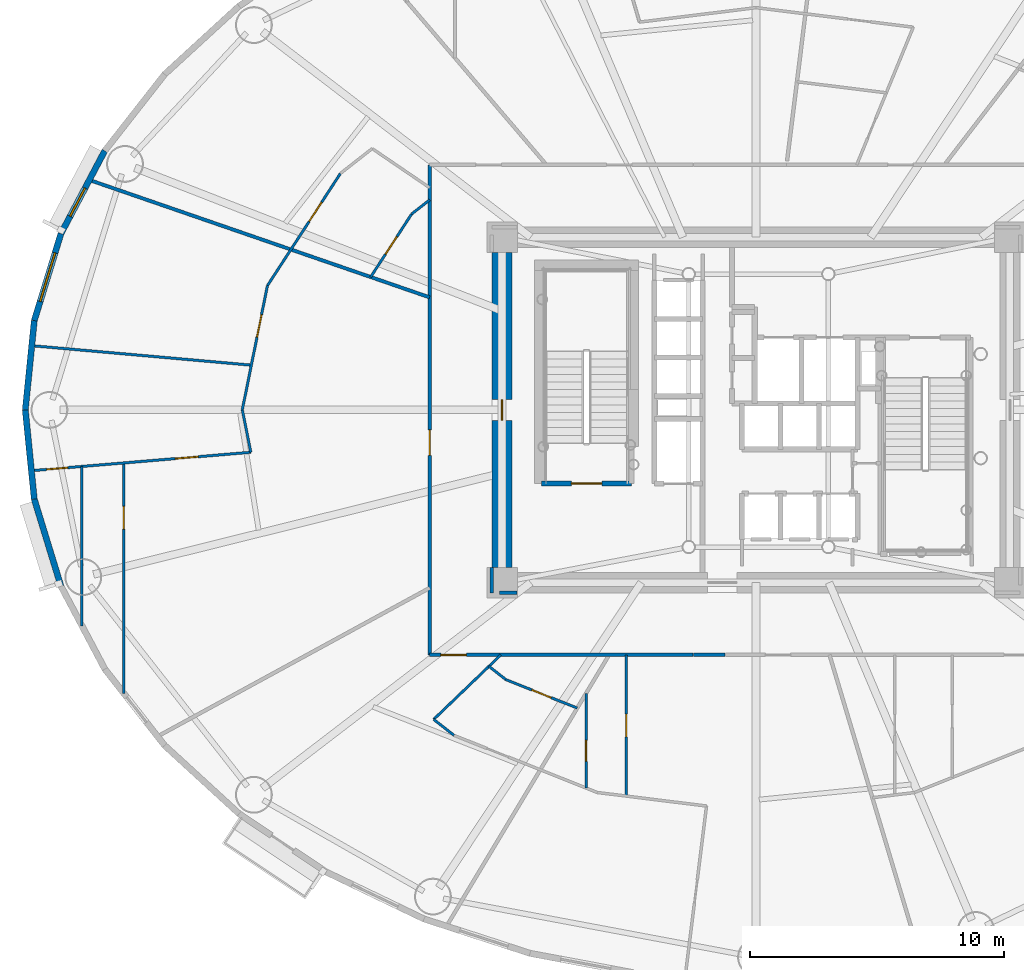
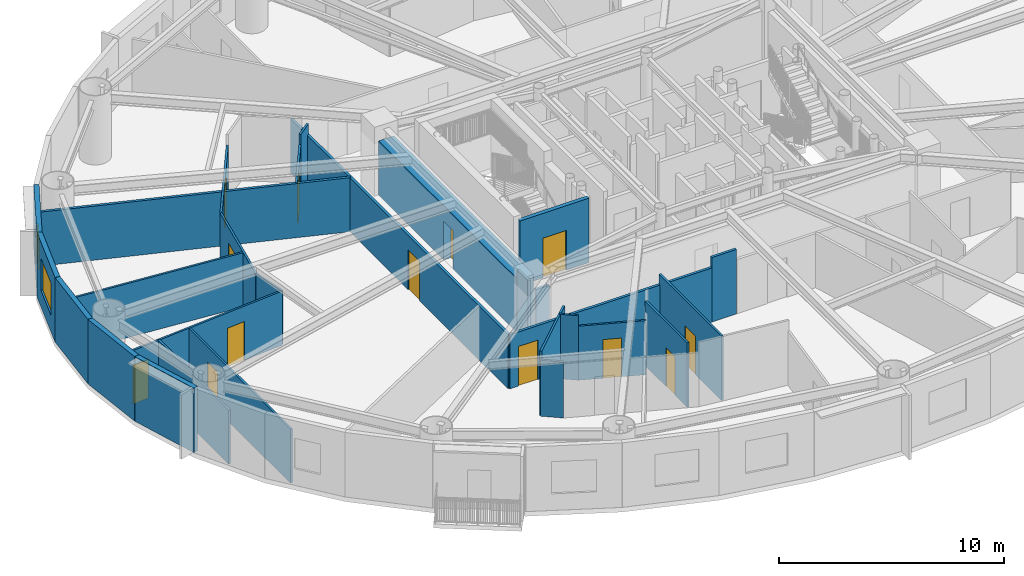
# One storey, part 7 of 18: 28 walls, 13 doors, 2 windows, 15 openings.
"""IFC4 building model written with IfcOpenShell, lengths in metres."""

import ifcopenshell
import ifcopenshell.guid

model = None  # the IFC model being written
_history = None  # IfcOwnerHistory: only IFC2X3 demands one
_inside = {}  # id of a spatial element -> (the spatial element, [elements in it])
_under = {}  # id of a project, library or spatial element -> (it, [spatial elements below it])
_declared = {}  # id of a project -> (the project, [libraries it declares])
_typed = {}  # id of a type object -> (the type object, [elements of that type])
_made_of = {}  # id of a material, layer set ... -> (it, [elements and type objects made of it])


def new_model(schema):
    """Start an empty IFC model of exactly this schema.

    Asked for "IFC4X3", IfcOpenShell would pick the latest addendum, in which some entities
    have other attributes; the version numbers below select the first issue.
    IFC2X3 requires an IfcOwnerHistory on every rooted entity: one is made here for all.
    """
    global model, _history
    if schema == "IFC4X3":
        model = ifcopenshell.file(schema_version=(4, 3, 0, 0))
    else:
        model = ifcopenshell.file(schema=schema)
    _inside.clear()
    _under.clear()
    _declared.clear()
    _typed.clear()
    _made_of.clear()
    _history = None
    if model.schema == "IFC2X3":
        org = make("IfcOrganization", Name="unknown")
        user = make(
            "IfcPersonAndOrganization",
            ThePerson=make("IfcPerson", FamilyName="unknown"),
            TheOrganization=org,
        )
        app = make(
            "IfcApplication",
            ApplicationDeveloper=org,
            Version="unknown",
            ApplicationFullName="unknown",
            ApplicationIdentifier="unknown",
        )
        _history = make(
            "IfcOwnerHistory",
            OwningUser=user,
            OwningApplication=app,
            ChangeAction="ADDED",
            CreationDate=0,
        )
    return model


def make(cls, **values):
    """One entity of the class cls with the attributes given. An attribute that is None is left unset."""
    return model.create_entity(
        cls, **{name: value for name, value in values.items() if value is not None}
    )


def rooted(cls, **values):
    """An entity with a GlobalId (a new one), such as an element, a storey or a relation."""
    return make(cls, GlobalId=ifcopenshell.guid.new(), OwnerHistory=_history, **values)


def si_unit(unit_type, name, prefix=None):
    """IfcSIUnit, for example si_unit("LENGTHUNIT", "METRE", prefix="MILLI")."""
    return make("IfcSIUnit", UnitType=unit_type, Prefix=prefix, Name=name)


def assignment(units):
    """IfcUnitAssignment: the units of a project."""
    return None if units is None else make("IfcUnitAssignment", Units=units)


def point(xyz):
    """IfcCartesianPoint."""
    return None if xyz is None else make("IfcCartesianPoint", Coordinates=xyz)


def direction(xyz):
    """IfcDirection."""
    return None if xyz is None else make("IfcDirection", DirectionRatios=xyz)


def frame(location, z_axis=None, x_axis=None):
    """IfcAxis2Placement3D, a coordinate frame: its origin and axes. An axis left out is left unset."""
    return make(
        "IfcAxis2Placement3D",
        Location=point(location),
        Axis=direction(z_axis),
        RefDirection=direction(x_axis),
    )


def frame_2d(location, x_axis=None):
    """IfcAxis2Placement2D, a coordinate frame in the plane: its origin and x axis."""
    return make(
        "IfcAxis2Placement2D", Location=point(location), RefDirection=direction(x_axis)
    )


def origin():
    """The frame at (0, 0, 0) with its axes left unset."""
    return frame((0.0, 0.0, 0.0))


def origin_2d():
    """The frame at (0, 0) in the plane with its x axis left unset."""
    return frame_2d((0.0, 0.0))


def place(relative_to, where):
    """IfcLocalPlacement: puts the frame where relative to a parent placement (None: the world)."""
    return make(
        "IfcLocalPlacement", PlacementRelTo=relative_to, RelativePlacement=where
    )


def context(
    kind, dimensions, precision=None, world=None, true_north=None, identifier=None
):
    """IfcGeometricRepresentationContext, for example the 3D "Model" context."""
    return make(
        "IfcGeometricRepresentationContext",
        ContextIdentifier=identifier,
        ContextType=kind,
        CoordinateSpaceDimension=dimensions,
        Precision=precision,
        WorldCoordinateSystem=world,
        TrueNorth=true_north,
    )


def subcontext(parent, identifier, kind, view, scale=None):
    """IfcGeometricRepresentationSubContext, for example "Body" below "Model"."""
    return make(
        "IfcGeometricRepresentationSubContext",
        ContextIdentifier=identifier,
        ContextType=kind,
        ParentContext=parent,
        TargetScale=scale,
        TargetView=view,
    )


def project(units=None, contexts=None):
    """IfcProject with its units and contexts."""
    return rooted(
        "IfcProject",
        Name="project",
        RepresentationContexts=contexts,
        UnitsInContext=assignment(units),
    )


def spatial(cls, under=None, at=None, **own):
    """A site, building, storey or space (cls), placed at a placement, below another one or the project."""
    s = rooted(cls, ObjectPlacement=at, **own)
    if under is not None:
        _under.setdefault(under.id(), (under, []))[1].append(s)
    return s


def profile(cls, at=None, kind="AREA", **sizes):
    """A parametric profile (cls). Its sizes go by their IFC names, for example OverallWidth=200.0."""
    return make(cls, ProfileType=kind, Position=at, **sizes)


def rectangle(**sizes):
    """IfcRectangleProfileDef."""
    return profile("IfcRectangleProfileDef", **sizes)


def extrude(swept, where, along, depth):
    """IfcExtrudedAreaSolid: the profile swept, set in the frame where, extruded along a direction by depth."""
    return make(
        "IfcExtrudedAreaSolid",
        SweptArea=swept,
        Position=where,
        ExtrudedDirection=direction(along),
        Depth=depth,
    )


def shape(context_of_items, identifier, shape_type, items):
    """IfcShapeRepresentation: the items that make up one representation, for example the "Body"."""
    return make(
        "IfcShapeRepresentation",
        ContextOfItems=context_of_items,
        RepresentationIdentifier=identifier,
        RepresentationType=shape_type,
        Items=items,
    )


def source(mapping_origin, context_of_items, identifier, shape_type, items):
    """IfcRepresentationMap: a shape defined once, which mapped items show again and again."""
    return make(
        "IfcRepresentationMap",
        MappingOrigin=mapping_origin,
        MappedRepresentation=shape(context_of_items, identifier, shape_type, items),
    )


def transform(
    local_origin,
    x_axis=None,
    y_axis=None,
    z_axis=None,
    scale=None,
    scale2=None,
    scale3=None,
    uniform=True,
):
    """IfcCartesianTransformationOperator3D, or its non-uniform kind. x_axis, y_axis, z_axis: its Axis1, 2, 3."""
    if uniform:
        return make(
            "IfcCartesianTransformationOperator3D",
            Axis1=direction(x_axis),
            Axis2=direction(y_axis),
            LocalOrigin=point(local_origin),
            Scale=scale,
            Axis3=direction(z_axis),
        )
    return make(
        "IfcCartesianTransformationOperator3DnonUniform",
        Axis1=direction(x_axis),
        Axis2=direction(y_axis),
        LocalOrigin=point(local_origin),
        Scale=scale,
        Axis3=direction(z_axis),
        Scale2=scale2,
        Scale3=scale3,
    )


def mapped(mapping_source, mapping_target):
    """IfcMappedItem: shows the shape of a source again, moved by a transform."""
    return make(
        "IfcMappedItem", MappingSource=mapping_source, MappingTarget=mapping_target
    )


def material(Name=None, Category=None):
    """IfcMaterial."""
    return make("IfcMaterial", Name=Name, Category=Category)


def layer(
    of_material, thickness, ventilated=None, Name=None, Category=None, Priority=None
):
    """IfcMaterialLayer: one layer of a wall or slab, of a material (None: an air gap)."""
    return make(
        "IfcMaterialLayer",
        Material=of_material,
        LayerThickness=thickness,
        IsVentilated=ventilated,
        Name=Name,
        Category=Category,
        Priority=Priority,
    )


def layer_set(layers, Name=None):
    """IfcMaterialLayerSet."""
    return make("IfcMaterialLayerSet", MaterialLayers=layers, LayerSetName=Name)


def made_of(thing, what):
    """Note that an element or type object is made of a material, layer set ...; save() writes the relation."""
    if what is not None:
        _made_of.setdefault(what.id(), (what, []))[1].append(thing)
    return thing


def type_object(cls, material=None, **own):
    """A type object (cls), such as IfcWallType, which elements share."""
    return made_of(rooted(cls, **own), material)


def element(
    cls,
    number,
    at=None,
    inside=None,
    cuts=None,
    type_object=None,
    material=None,
    context=None,
    identifier="Body",
    shape_type=None,
    held_by="IfcProductDefinitionShape",
    body=None,
    shapes=None,
    **own,
):
    """One element of the class cls, such as IfcWall. Its Tag is "e" and its number.

    at: its placement. inside: the storey or other place that contains it. cuts: it is an
    opening in that element (IfcRelVoidsElement). A single representation is given by context,
    identifier, shape_type and body (its items); several are given by shapes. held_by: the class
    of the entity that holds the representations. save() writes the other relations.
    """
    e = rooted(cls, Tag="e%d" % number, ObjectPlacement=at, **own)
    if body is not None:
        shapes = [shape(context, identifier, shape_type, body)]
    if shapes is not None:
        e.Representation = make(held_by, Representations=shapes)
    if inside is not None:
        _inside.setdefault(inside.id(), (inside, []))[1].append(e)
    if cuts is not None:
        rooted(
            "IfcRelVoidsElement", RelatingBuildingElement=cuts, RelatedOpeningElement=e
        )
    if type_object is not None:
        _typed.setdefault(type_object.id(), (type_object, []))[1].append(e)
    return made_of(e, material)


def fill(opening, filler):
    """IfcRelFillsElement: the door or window that sits in an opening."""
    return rooted(
        "IfcRelFillsElement",
        RelatingOpeningElement=opening,
        RelatedBuildingElement=filler,
    )


def aggregate(whole, parts):
    """IfcRelAggregates: a whole, such as a stair, and the parts it consists of."""
    return rooted("IfcRelAggregates", RelatingObject=whole, RelatedObjects=parts)


def save(model, path):
    """Write the relations noted so far, then the file.

    IfcRelAggregates (storeys below a building ...), IfcRelContainedInSpatialStructure (elements
    in a storey), IfcRelDefinesByType, IfcRelAssociatesMaterial and IfcRelDeclares: one each for
    every whole, place, type object, material and project.
    """
    for whole, parts in _under.values():
        aggregate(whole, parts)
    for where, things in _inside.values():
        rooted(
            "IfcRelContainedInSpatialStructure",
            RelatedElements=things,
            RelatingStructure=where,
        )
    for kind, things in _typed.values():
        rooted("IfcRelDefinesByType", RelatedObjects=things, RelatingType=kind)
    for what, things in _made_of.values():
        rooted("IfcRelAssociatesMaterial", RelatedObjects=things, RelatingMaterial=what)
    for by, libraries in _declared.values():
        rooted("IfcRelDeclares", RelatingContext=by, RelatedDefinitions=libraries)
    model.write(path)


model = new_model("IFC4")

# Units and contexts
model_context = context("Model", 3, precision=1e-05, world=origin(), true_north=direction((0.0, 1.0)))
body_context = subcontext(model_context, "Body", "Model", "MODEL_VIEW")
ifc_project = project(units=[si_unit("LENGTHUNIT", "METRE"), si_unit("AREAUNIT", "SQUARE_METRE"), si_unit("VOLUMEUNIT", "CUBIC_METRE"), si_unit("PLANEANGLEUNIT", "RADIAN"), si_unit("MASSUNIT", "GRAM", prefix="KILO")], contexts=[model_context])

# Site, building, storey
site_placement = place(None, origin())
site = spatial("IfcSite", under=ifc_project, at=site_placement, CompositionType="ELEMENT")
building_placement = place(site_placement, origin())
building = spatial("IfcBuilding", under=site, at=building_placement, Name="Linh Dai School and Residence Tower", CompositionType="ELEMENT")
storey_placement = place(building_placement, frame((0.0, 0.0, 100.949951171875)))
storey = spatial("IfcBuildingStorey", under=building, at=storey_placement, Name="L23", CompositionType="ELEMENT", Elevation=100.949951171875)

# Wall, opening, window
ifc_material_1 = material(Name="Precast Concrete B45 (C35/45)", Category="concrete")
ifc_layer_1 = layer(ifc_material_1, 0.239990234375)
ifc_layer_set_1 = layer_set([ifc_layer_1], Name="Precast Concrete B45 (C35/45)")
wall_type_1 = type_object("IfcWallType", Name="EW-TC-240", PredefinedType="SOLIDWALL", material=ifc_layer_set_1)
wall_1_placement = place(storey_placement, frame((8.6298828125, 33.945068359375, 0.0), z_axis=(0.0, 0.0, 1.0), x_axis=(0.467614004126, 0.883932770716, 0.0)))
wall_1 = element("IfcWall", 1, at=wall_1_placement, inside=storey, type_object=wall_type_1, Name="L23 Terracotta Exterior Wall 18", PredefinedType="SOLIDWALL", context=body_context, shape_type="SweptSolid", body=[
    extrude(rectangle(XDim=3.688720703125, YDim=0.239990234375, at=frame_2d((1.84423828125, 0.0))), origin(), (0.0, 0.0, 1.0), 3.5),
])
opening_1_placement = place(wall_1_placement, frame((0.77392578125, 0.0, 0.89990234375)))
opening_1 = element("IfcOpeningElement", 2, at=opening_1_placement, cuts=wall_1, Name="Opening W3", PredefinedType="OPENING", context=body_context, shape_type="SweptSolid", body=[
    extrude(rectangle(XDim=1.25, YDim=1.64990234375, at=origin_2d()), frame((0.625, 0.1298828125, 0.824951171875), z_axis=(0.0, -1.0, 0.0), x_axis=(1.0, 0.0, 0.0)), (0.0, 0.0, 1.0), 0.260009765625),
])
ifc_material_2 = material(Name="Double Low-E Insulated Glazing", Category="glass")
window_type_1 = type_object("IfcWindowType", Name="WN-RES-1250x1650", PartitioningType="SINGLE_PANEL", PredefinedType="WINDOW", material=ifc_material_2)
shared_shape_1 = source(origin(), body_context, "Body", "SweptSolid", [
    extrude(rectangle(XDim=1.25, YDim=1.64990234375, at=origin_2d()), frame((0.625, 0.030029296875, 0.824951171875), z_axis=(0.0, -1.0, 0.0), x_axis=(1.0, 0.0, 0.0)), (0.0, 0.0, 1.0), 0.06005859375),
])
window_1_placement = place(opening_1_placement, origin())
window_1 = element("IfcWindow", 3, at=window_1_placement, inside=storey, type_object=window_type_1, Name="L23 Exterior Window 18.1", OverallHeight=1.64990234375, OverallWidth=1.25, PartitioningType="SINGLE_PANEL", PredefinedType="WINDOW", context=body_context, shape_type="MappedRepresentation", body=[
    mapped(shared_shape_1, transform((0.0, 0.0, 0.0), x_axis=(1.0, 0.0, 0.0), y_axis=(0.0, 1.0, 0.0), z_axis=(0.0, 0.0, 1.0), scale=1.0)),
])
fill(opening_1, window_1)

wall_2_placement = place(storey_placement, frame((7.578369140625, 30.515380859375, 0.0), z_axis=(0.0, 0.0, 1.0), x_axis=(0.293124431344, 0.956074300329, 0.0)))
wall_2 = element("IfcWall", 4, at=wall_2_placement, inside=storey, type_object=wall_type_1, Name="L23 Terracotta Exterior Wall 19", PredefinedType="SOLIDWALL", context=body_context, shape_type="SweptSolid", body=[
    extrude(rectangle(XDim=3.587158203125, YDim=0.239990234375, at=frame_2d((1.79345703125, 0.0))), origin(), (0.0, 0.0, 1.0), 3.5),
])
opening_2_placement = place(wall_2_placement, frame((0.793701171875, 0.0, 0.89990234375)))
opening_2 = element("IfcOpeningElement", 5, at=opening_2_placement, cuts=wall_2, Name="Opening W1", PredefinedType="OPENING", context=body_context, shape_type="SweptSolid", body=[
    extrude(rectangle(XDim=2.0, YDim=1.75, at=origin_2d()), frame((1.0, 0.1298828125, 0.875), z_axis=(0.0, -1.0, 0.0), x_axis=(1.0, 0.0, 0.0)), (0.0, 0.0, 1.0), 0.260009765625),
])
window_type_2 = type_object("IfcWindowType", Name="WN-RES-2000x1750", PartitioningType="DOUBLE_PANEL_VERTICAL", PredefinedType="WINDOW", material=ifc_material_2)
shared_shape_2 = source(origin(), body_context, "Body", "SweptSolid", [
    extrude(rectangle(XDim=2.0, YDim=1.75, at=origin_2d()), frame((1.0, 0.030029296875, 0.875), z_axis=(0.0, -1.0, 0.0), x_axis=(1.0, 0.0, 0.0)), (0.0, 0.0, 1.0), 0.06005859375),
])
window_2_placement = place(opening_2_placement, origin())
window_2 = element("IfcWindow", 6, at=window_2_placement, inside=storey, type_object=window_type_2, Name="L23 Exterior Window 19.1", OverallHeight=1.75, OverallWidth=2.0, PartitioningType="DOUBLE_PANEL_VERTICAL", PredefinedType="WINDOW", context=body_context, shape_type="MappedRepresentation", body=[
    mapped(shared_shape_2, transform((0.0, 0.0, 0.0), x_axis=(1.0, 0.0, 0.0), y_axis=(0.0, 1.0, 0.0), z_axis=(0.0, 0.0, 1.0), scale=1.0)),
])
fill(opening_2, window_2)

# Walls
for number, where, z_axis, x_axis, name in (
    (7, (7.22509765625, 27.0, 0.0), (0.0, 0.0, 1.0), (0.099989468229, 0.994988495533, 0.0), "L23 Terracotta Exterior Wall 20"),
    (8, (7.578369140625, 23.484619140625, 0.0), (0.0, 0.0, 1.0), (-0.099989468229, 0.994988495533, 0.0), "L23 Terracotta Exterior Wall 21"),
):
    element("IfcWall", number, at=place(storey_placement, frame(where, z_axis=z_axis, x_axis=x_axis)), inside=storey, type_object=wall_type_1, Name=name, PredefinedType="SOLIDWALL", context=body_context, shape_type="SweptSolid", body=[
        extrude(rectangle(XDim=3.533203125, YDim=0.239990234375, at=frame_2d((1.7666015625, 0.0))), origin(), (0.0, 0.0, 1.0), 3.5),
    ])
wall_3_placement = place(storey_placement, frame((8.6298828125, 20.054931640625, 0.0), z_axis=(0.0, 0.0, 1.0), x_axis=(-0.293124431344, 0.956074300329, 0.0)))
element("IfcWall", 9, at=wall_3_placement, inside=storey, type_object=wall_type_1, Name="L23 Terracotta Exterior Wall 22", PredefinedType="SOLIDWALL", context=body_context, shape_type="SweptSolid", body=[
    extrude(rectangle(XDim=3.587158203125, YDim=0.239990234375, at=frame_2d((1.79345703125, 0.0))), origin(), (0.0, 0.0, 1.0), 3.5),
])
ifc_material_3 = material(Name="Autoclaved Aerated Concrete Blockwork", Category="masonry")
ifc_layer_2 = layer(ifc_material_3, 0.135009765625)
ifc_layer_set_2 = layer_set([ifc_layer_2], Name="Autoclaved Aerated Concrete Blockwork")
wall_type_2 = type_object("IfcWallType", Name="IW-CORR-135-EI90", PredefinedType="PARTITIONING", material=ifc_layer_set_2)
wall_4_placement = place(storey_placement, frame((9.7412109375, 36.056640625, 0.0), z_axis=(0.0, 0.0, 1.0), x_axis=(0.945349748634, -0.326058051207, 0.0)))
element("IfcWall", 10, at=wall_4_placement, inside=storey, type_object=wall_type_2, Name="L23 Interior Partition Wall 004", PredefinedType="PARTITIONING", context=body_context, shape_type="SweptSolid", body=[
    extrude(rectangle(XDim=14.183837890625, YDim=0.135009765625, at=frame_2d((7.091796875, 0.0))), origin(), (0.0, 0.0, 1.0), 2.93505859375),
])

# Wall, opening, door
wall_5_placement = place(storey_placement, frame((23.14990234375, 17.35009765625, 0.0), z_axis=(0.0, 0.0, 1.0), x_axis=(0.0, 1.0, 0.0)))
wall_5 = element("IfcWall", 11, at=wall_5_placement, inside=storey, type_object=wall_type_2, Name="L23 Interior Partition Wall 016", PredefinedType="PARTITIONING", context=body_context, shape_type="SweptSolid", body=[
    extrude(rectangle(XDim=19.2998046875, YDim=0.135009765625, at=frame_2d((9.64990234375, 0.0))), origin(), (0.0, 0.0, 1.0), 2.93505859375),
])
opening_3_placement = place(wall_5_placement, frame((7.8603515625, 0.0, 0.0)))
opening_3 = element("IfcOpeningElement", 12, at=opening_3_placement, cuts=wall_5, Name="Opening D03", PredefinedType="OPENING", context=body_context, shape_type="SweptSolid", body=[
    extrude(rectangle(XDim=1.0, YDim=2.14990234375, at=origin_2d()), frame((0.5, 0.07763671875, 1.074951171875), z_axis=(0.0, -1.0, 0.0), x_axis=(1.0, 0.0, 0.0)), (0.0, 0.0, 1.0), 0.155029296875),
])
ifc_material_4 = material(Name="Fire-Rated Solid Timber Entrance Door", Category="wood")
door_type_1 = type_object("IfcDoorType", Name="DR-FLAT-1000x2150-FD60S", OperationType="NOTDEFINED", PredefinedType="DOOR", material=ifc_material_4)
shared_shape_3 = source(origin(), body_context, "Body", "SweptSolid", [
    extrude(rectangle(XDim=1.0, YDim=2.14990234375, at=origin_2d()), frame((0.5, 0.02490234375, 1.074951171875), z_axis=(0.0, -1.0, 0.0), x_axis=(1.0, 0.0, 0.0)), (0.0, 0.0, 1.0), 0.050048828125),
])
door_1_placement = place(opening_3_placement, origin())
door_1 = element("IfcDoor", 13, at=door_1_placement, inside=storey, type_object=door_type_1, Name="L23 U2305 Apartment Entrance Door", OperationType="SINGLE_SWING_LEFT", OverallHeight=2.14990234375, OverallWidth=1.0, PredefinedType="DOOR", context=body_context, shape_type="MappedRepresentation", body=[
    mapped(shared_shape_3, transform((0.0, 0.0, 0.0), x_axis=(1.0, 0.0, 0.0), y_axis=(0.0, 1.0, 0.0), z_axis=(0.0, 0.0, 1.0), scale=1.0)),
])
fill(opening_3, door_1)

wall_6_placement = place(storey_placement, frame((23.14990234375, 17.35009765625, 0.0), z_axis=(0.0, 0.0, 1.0), x_axis=(1.0, 0.0, 0.0)))
wall_6 = element("IfcWall", 14, at=wall_6_placement, inside=storey, type_object=wall_type_2, Name="L23 Interior Partition Wall 017", PredefinedType="PARTITIONING", context=body_context, shape_type="SweptSolid", body=[
    extrude(rectangle(XDim=10.373046875, YDim=0.135009765625, at=frame_2d((5.1865234375, 0.0))), origin(), (0.0, 0.0, 1.0), 2.93505859375),
])
opening_4_placement = place(wall_6_placement, frame((0.440185546875, 0.0, 0.0)))
opening_4 = element("IfcOpeningElement", 15, at=opening_4_placement, cuts=wall_6, Name="Opening D03", PredefinedType="OPENING", context=body_context, shape_type="SweptSolid", body=[
    extrude(rectangle(XDim=1.0, YDim=2.14990234375, at=origin_2d()), frame((0.5, 0.07763671875, 1.074951171875), z_axis=(0.0, -1.0, 0.0), x_axis=(1.0, 0.0, 0.0)), (0.0, 0.0, 1.0), 0.155029296875),
])
door_2_placement = place(opening_4_placement, origin())
door_2 = element("IfcDoor", 16, at=door_2_placement, inside=storey, type_object=door_type_1, Name="L23 U2306 Apartment Entrance Door", OperationType="SINGLE_SWING_RIGHT", OverallHeight=2.14990234375, OverallWidth=1.0, PredefinedType="DOOR", context=body_context, shape_type="MappedRepresentation", body=[
    mapped(shared_shape_3, transform((0.0, 0.0, 0.0), x_axis=(1.0, 0.0, 0.0), y_axis=(0.0, 1.0, 0.0), z_axis=(0.0, 0.0, 1.0), scale=1.0)),
])
fill(opening_4, door_2)

# Walls
wall_7_placement = place(storey_placement, frame((34.784912109375, 17.35009765625, 0.0), z_axis=(0.0, 0.0, 1.0), x_axis=(-1.0, 0.0, 0.0)))
element("IfcWall", 17, at=wall_7_placement, inside=storey, type_object=wall_type_2, Name="L23 Interior Partition Wall 107", PredefinedType="PARTITIONING", context=body_context, shape_type="SweptSolid", body=[
    extrude(rectangle(XDim=1.251953125, YDim=0.135009765625, at=frame_2d((0.6259765625, 0.0))), origin(), (0.0, 0.0, 1.0), 3.5),
])
wall_8_placement = place(storey_placement, frame((25.60009765625, 20.7900390625, 0.0), z_axis=(0.0, 0.0, 1.0), x_axis=(0.0, -1.0, 0.0)))
element("IfcWall", 18, at=wall_8_placement, inside=storey, type_object=wall_type_2, Name="L23 Interior Partition Wall 111", PredefinedType="PARTITIONING", context=body_context, shape_type="SweptSolid", body=[
    extrude(rectangle(XDim=0.989990234375, YDim=0.135009765625, at=frame_2d((0.4951171875, 0.0))), origin(), (0.0, 0.0, 1.0), 3.5),
])
wall_9_placement = place(storey_placement, frame((25.907470703125, 19.800048828125, 0.0), z_axis=(0.0, 0.0, 1.0), x_axis=(1.0, 0.0, 0.0)))
element("IfcWall", 19, at=wall_9_placement, inside=storey, type_object=wall_type_2, Name="L23 Interior Partition Wall 112", PredefinedType="PARTITIONING", context=body_context, shape_type="SweptSolid", body=[
    extrude(rectangle(XDim=0.6826171875, YDim=0.135009765625, at=frame_2d((0.34130859375, 0.0))), origin(), (0.0, 0.0, 1.0), 2.93505859375),
])

# Wall, opening, door
ifc_material_5 = material(Name="Concrete B45 (C35/45)", Category="concrete")
ifc_layer_3 = layer(ifc_material_5, 0.199951171875)
ifc_layer_set_3 = layer_set([ifc_layer_3], Name="Concrete B45 (C35/45)")
wall_type_3 = type_object("IfcWallType", Name="IW-SHAFT-200-EI120", PredefinedType="PARTITIONING", material=ifc_layer_set_3)
wall_10_placement = place(storey_placement, frame((27.56005859375, 24.10009765625, 0.0), z_axis=(0.0, 0.0, 1.0), x_axis=(1.0, 0.0, 0.0)))
wall_10 = element("IfcWall", 20, at=wall_10_placement, inside=storey, type_object=wall_type_3, Name="L23 Interior Partition Wall 026", PredefinedType="PARTITIONING", context=body_context, shape_type="SweptSolid", body=[
    extrude(rectangle(XDim=3.5400390625, YDim=0.199951171875, at=frame_2d((1.77001953125, 0.0))), origin(), (0.0, 0.0, 1.0), 3.5),
])
opening_5_placement = place(wall_10_placement, frame((1.169921875, 0.0, 0.0)))
opening_5 = element("IfcOpeningElement", 21, at=opening_5_placement, cuts=wall_10, Name="Opening D01", PredefinedType="OPENING", context=body_context, shape_type="SweptSolid", body=[
    extrude(rectangle(XDim=1.199951171875, YDim=2.14990234375, at=origin_2d()), frame((0.60009765625, 0.10986328125, 1.074951171875), z_axis=(0.0, -1.0, 0.0), x_axis=(1.0, 0.0, 0.0)), (0.0, 0.0, 1.0), 0.219970703125),
])
ifc_material_6 = material(Name="Fire-Rated Steel Door Leaf", Category="steel")
door_type_2 = type_object("IfcDoorType", Name="DR-STAIR-1200x2150-FD90S", OperationType="NOTDEFINED", PredefinedType="DOOR", material=ifc_material_6)
shared_shape_4 = source(origin(), body_context, "Body", "SweptSolid", [
    extrude(rectangle(XDim=1.199951171875, YDim=2.14990234375, at=origin_2d()), frame((0.60009765625, 0.02490234375, 1.074951171875), z_axis=(0.0, -1.0, 0.0), x_axis=(1.0, 0.0, 0.0)), (0.0, 0.0, 1.0), 0.050048828125),
])
door_3_placement = place(opening_5_placement, origin())
door_3 = element("IfcDoor", 22, at=door_3_placement, inside=storey, type_object=door_type_2, Name="L23 Core Smokeproof Exit Stair ST1 Door", OperationType="SINGLE_SWING_RIGHT", OverallHeight=2.14990234375, OverallWidth=1.199951171875, PredefinedType="DOOR", context=body_context, shape_type="MappedRepresentation", body=[
    mapped(shared_shape_4, transform((0.0, 0.0, 0.0), x_axis=(1.0, 0.0, 0.0), y_axis=(0.0, 1.0, 0.0), z_axis=(0.0, 0.0, 1.0), scale=1.0)),
])
fill(opening_5, door_3)

# Wall, openings, doors
ifc_material_7 = material(Name="Gypsum Plasterboard Acoustic Stud Partition", Category="masonry")
ifc_layer_4 = layer(ifc_material_7, 0.10009765625)
ifc_layer_set_4 = layer_set([ifc_layer_4], Name="Gypsum Plasterboard Acoustic Stud Partition")
wall_type_4 = type_object("IfcWallType", Name="IW-UNIT-100", PredefinedType="PARTITIONING", material=ifc_layer_set_4)
wall_11_placement = place(storey_placement, frame((7.460693359375, 24.6064453125, 0.0), z_axis=(0.0, 0.0, 1.0), x_axis=(0.996502351316, 0.083564728334, 0.0)))
wall_11 = element("IfcWall", 23, at=wall_11_placement, inside=storey, type_object=wall_type_4, Name="L23 Interior Partition Wall 001", PredefinedType="PARTITIONING", context=body_context, shape_type="SweptSolid", body=[
    extrude(rectangle(XDim=8.677001953125, YDim=0.10009765625, at=frame_2d((4.33837890625, 0.0))), origin(), (0.0, 0.0, 1.0), 2.93505859375),
])
opening_6_placement = place(wall_11_placement, frame((5.694580078125, 0.0, 0.0)))
opening_6 = element("IfcOpeningElement", 24, at=opening_6_placement, cuts=wall_11, Name="Opening D05", PredefinedType="OPENING", context=body_context, shape_type="SweptSolid", body=[
    extrude(rectangle(XDim=0.89990234375, YDim=2.10009765625, at=origin_2d()), frame((0.449951171875, 0.06005859375, 1.050048828125), z_axis=(0.0, -1.0, 0.0), x_axis=(1.0, 0.0, 0.0)), (0.0, 0.0, 1.0), 0.1201171875),
])
opening_7_placement = place(wall_11_placement, frame((0.611572265625, 0.0, 0.0)))
opening_7 = element("IfcOpeningElement", 25, at=opening_7_placement, cuts=wall_11, Name="Opening D06", PredefinedType="OPENING", context=body_context, shape_type="SweptSolid", body=[
    extrude(rectangle(XDim=0.820068359375, YDim=2.10009765625, at=origin_2d()), frame((0.41015625, 0.06005859375, 1.050048828125), z_axis=(0.0, -1.0, 0.0), x_axis=(1.0, 0.0, 0.0)), (0.0, 0.0, 1.0), 0.1201171875),
])
ifc_material_8 = material(Name="Moisture-Resistant Timber Bathroom Door", Category="wood")
door_type_3 = type_object("IfcDoorType", Name="DR-WET-820x2100", OperationType="NOTDEFINED", PredefinedType="DOOR", material=ifc_material_8)
shared_shape_5 = source(origin(), body_context, "Body", "SweptSolid", [
    extrude(rectangle(XDim=0.820068359375, YDim=2.10009765625, at=origin_2d()), frame((0.41015625, 0.02490234375, 1.050048828125), z_axis=(0.0, -1.0, 0.0), x_axis=(1.0, 0.0, 0.0)), (0.0, 0.0, 1.0), 0.050048828125),
])
door_4_placement = place(opening_7_placement, origin())
door_4 = element("IfcDoor", 26, at=door_4_placement, inside=storey, type_object=door_type_3, Name="L23 Apartment U2305 Bathroom 1 Door", OperationType="SINGLE_SWING_RIGHT", OverallHeight=2.10009765625, OverallWidth=0.820068359375, PredefinedType="DOOR", context=body_context, shape_type="MappedRepresentation", body=[
    mapped(shared_shape_5, transform((0.0, 0.0, 0.0), x_axis=(1.0, 0.0, 0.0), y_axis=(0.0, 1.0, 0.0), z_axis=(0.0, 0.0, 1.0), scale=1.0)),
])
fill(opening_7, door_4)
ifc_material_9 = material(Name="Engineered Timber Internal Door", Category="wood")
door_type_4 = type_object("IfcDoorType", Name="DR-INT-900x2100", OperationType="NOTDEFINED", PredefinedType="DOOR", material=ifc_material_9)
shared_shape_6 = source(origin(), body_context, "Body", "SweptSolid", [
    extrude(rectangle(XDim=0.89990234375, YDim=2.10009765625, at=origin_2d()), frame((0.449951171875, 0.02490234375, 1.050048828125), z_axis=(0.0, -1.0, 0.0), x_axis=(1.0, 0.0, 0.0)), (0.0, 0.0, 1.0), 0.050048828125),
])
door_5_placement = place(opening_6_placement, origin())
door_5 = element("IfcDoor", 27, at=door_5_placement, inside=storey, type_object=door_type_4, Name="L23 Apartment U2305 Study Door", OperationType="SINGLE_SWING_LEFT", OverallHeight=2.10009765625, OverallWidth=0.89990234375, PredefinedType="DOOR", context=body_context, shape_type="MappedRepresentation", body=[
    mapped(shared_shape_6, transform((0.0, 0.0, 0.0), x_axis=(1.0, 0.0, 0.0), y_axis=(0.0, 1.0, 0.0), z_axis=(0.0, 0.0, 1.0), scale=1.0)),
])
fill(opening_6, door_5)

# Walls
wall_12_placement = place(storey_placement, frame((7.474365234375, 29.530029296875, 0.0), z_axis=(0.0, 0.0, 1.0), x_axis=(0.99609030315, -0.088340862406, 0.0)))
element("IfcWall", 28, at=wall_12_placement, inside=storey, type_object=wall_type_4, Name="L23 Interior Partition Wall 002", PredefinedType="PARTITIONING", context=body_context, shape_type="SweptSolid", body=[
    extrude(rectangle(XDim=8.68603515625, YDim=0.10009765625, at=frame_2d((4.343017578125, 0.0))), origin(), (0.0, 0.0, 1.0), 2.93505859375),
])
wall_13_placement = place(storey_placement, frame((9.456787109375, 18.481201171875, 0.0), z_axis=(0.0, 0.0, 1.0), x_axis=(0.0, 1.0, 0.0)))
element("IfcWall", 29, at=wall_13_placement, inside=storey, type_object=wall_type_4, Name="L23 Interior Partition Wall 003", PredefinedType="PARTITIONING", context=body_context, shape_type="SweptSolid", body=[
    extrude(rectangle(XDim=6.292724609375, YDim=0.10009765625, at=frame_2d((3.146484375, 0.0))), origin(), (0.0, 0.0, 1.0), 2.93505859375),
])

# Wall, opening, door
wall_14_placement = place(storey_placement, frame((11.099853515625, 15.833984375, 0.0), z_axis=(0.0, 0.0, 1.0), x_axis=(0.0, 1.0, 0.0)))
wall_14 = element("IfcWall", 30, at=wall_14_placement, inside=storey, type_object=wall_type_4, Name="L23 Interior Partition Wall 005", PredefinedType="PARTITIONING", context=body_context, shape_type="SweptSolid", body=[
    extrude(rectangle(XDim=9.07763671875, YDim=0.10009765625, at=frame_2d((4.538818359375, 0.0))), origin(), (0.0, 0.0, 1.0), 2.93505859375),
])
opening_8_placement = place(wall_14_placement, frame((6.47021484375, 0.0, 0.0)))
opening_8 = element("IfcOpeningElement", 31, at=opening_8_placement, cuts=wall_14, Name="Opening D05", PredefinedType="OPENING", context=body_context, shape_type="SweptSolid", body=[
    extrude(rectangle(XDim=0.89990234375, YDim=2.10009765625, at=origin_2d()), frame((0.449951171875, 0.06005859375, 1.050048828125), z_axis=(0.0, -1.0, 0.0), x_axis=(1.0, 0.0, 0.0)), (0.0, 0.0, 1.0), 0.1201171875),
])
door_6_placement = place(opening_8_placement, origin())
door_6 = element("IfcDoor", 32, at=door_6_placement, inside=storey, type_object=door_type_4, Name="L23 Apartment U2305 Kitchen Door", OperationType="SINGLE_SWING_LEFT", OverallHeight=2.10009765625, OverallWidth=0.89990234375, PredefinedType="DOOR", context=body_context, shape_type="MappedRepresentation", body=[
    mapped(shared_shape_6, transform((0.0, 0.0, 0.0), x_axis=(1.0, 0.0, 0.0), y_axis=(0.0, 1.0, 0.0), z_axis=(0.0, 0.0, 1.0), scale=1.0)),
])
fill(opening_8, door_6)

# Wall
wall_15_placement = place(storey_placement, frame((15.77001953125, 27.0, 0.0), z_axis=(0.0, 0.0, 1.0), x_axis=(0.198211883057, -0.980159195955, 0.0)))
element("IfcWall", 33, at=wall_15_placement, inside=storey, type_object=wall_type_4, Name="L23 Interior Partition Wall 007", PredefinedType="PARTITIONING", context=body_context, shape_type="SweptSolid", body=[
    extrude(rectangle(XDim=1.7021484375, YDim=0.10009765625, at=frame_2d((0.85107421875, 0.0))), origin(), (0.0, 0.0, 1.0), 2.93505859375),
])

# Wall, opening, door
wall_16_placement = place(storey_placement, frame((15.77001953125, 27.0, 0.0), z_axis=(0.0, 0.0, 1.0), x_axis=(0.198230919145, 0.980155346205, 0.0)))
wall_16 = element("IfcWall", 34, at=wall_16_placement, inside=storey, type_object=wall_type_4, Name="L23 Interior Partition Wall 008", PredefinedType="PARTITIONING", context=body_context, shape_type="SweptSolid", body=[
    extrude(rectangle(XDim=4.994140625, YDim=0.10009765625, at=frame_2d((2.4970703125, 0.0))), origin(), (0.0, 0.0, 1.0), 2.93505859375),
])
opening_9_placement = place(wall_16_placement, frame((2.92626953125, 0.0, 0.0)))
opening_9 = element("IfcOpeningElement", 35, at=opening_9_placement, cuts=wall_16, Name="Opening D05", PredefinedType="OPENING", context=body_context, shape_type="SweptSolid", body=[
    extrude(rectangle(XDim=0.89990234375, YDim=2.10009765625, at=origin_2d()), frame((0.449951171875, 0.06005859375, 1.050048828125), z_axis=(0.0, -1.0, 0.0), x_axis=(1.0, 0.0, 0.0)), (0.0, 0.0, 1.0), 0.1201171875),
])
door_7_placement = place(opening_9_placement, origin())
door_7 = element("IfcDoor", 36, at=door_7_placement, inside=storey, type_object=door_type_4, Name="L23 Apartment U2305 Principal Bedroom 1 Door", OperationType="SINGLE_SWING_RIGHT", OverallHeight=2.10009765625, OverallWidth=0.89990234375, PredefinedType="DOOR", context=body_context, shape_type="MappedRepresentation", body=[
    mapped(shared_shape_6, transform((0.0, 0.0, 0.0), x_axis=(1.0, 0.0, 0.0), y_axis=(0.0, 1.0, 0.0), z_axis=(0.0, 0.0, 1.0), scale=1.0)),
])
fill(opening_9, door_7)

wall_17_placement = place(storey_placement, frame((16.760009765625, 31.89501953125, 0.0), z_axis=(0.0, 0.0, 1.0), x_axis=(0.545405249109, 0.838172484781, 0.0)))
wall_17 = element("IfcWall", 37, at=wall_17_placement, inside=storey, type_object=wall_type_4, Name="L23 Interior Partition Wall 009", PredefinedType="PARTITIONING", context=body_context, shape_type="SweptSolid", body=[
    extrude(rectangle(XDim=5.2685546875, YDim=0.10009765625, at=frame_2d((2.63427734375, 0.0))), origin(), (0.0, 0.0, 1.0), 2.93505859375),
])
opening_10_placement = place(wall_17_placement, frame((3.01220703125, 0.0, 0.0)))
opening_10 = element("IfcOpeningElement", 38, at=opening_10_placement, cuts=wall_17, Name="Opening D05", PredefinedType="OPENING", context=body_context, shape_type="SweptSolid", body=[
    extrude(rectangle(XDim=0.89990234375, YDim=2.10009765625, at=origin_2d()), frame((0.449951171875, 0.06005859375, 1.050048828125), z_axis=(0.0, -1.0, 0.0), x_axis=(1.0, 0.0, 0.0)), (0.0, 0.0, 1.0), 0.1201171875),
])
door_8_placement = place(opening_10_placement, origin())
door_8 = element("IfcDoor", 39, at=door_8_placement, inside=storey, type_object=door_type_4, Name="L23 Apartment U2304 Kitchen Door", OperationType="SINGLE_SWING_LEFT", OverallHeight=2.10009765625, OverallWidth=0.89990234375, PredefinedType="DOOR", context=body_context, shape_type="MappedRepresentation", body=[
    mapped(shared_shape_6, transform((0.0, 0.0, 0.0), x_axis=(1.0, 0.0, 0.0), y_axis=(0.0, 1.0, 0.0), z_axis=(0.0, 0.0, 1.0), scale=1.0)),
])
fill(opening_10, door_8)

wall_18_placement = place(storey_placement, frame((20.824951171875, 32.23388671875, 0.0), z_axis=(0.0, 0.0, 1.0), x_axis=(0.545376787896, 0.838191004023, 0.0)))
wall_18 = element("IfcWall", 40, at=wall_18_placement, inside=storey, type_object=wall_type_4, Name="L23 Interior Partition Wall 012", PredefinedType="PARTITIONING", context=body_context, shape_type="SweptSolid", body=[
    extrude(rectangle(XDim=2.9599609375, YDim=0.10009765625, at=frame_2d((1.47998046875, 0.0))), origin(), (0.0, 0.0, 1.0), 2.93505859375),
])
opening_11_placement = place(wall_18_placement, frame((1.070068359375, 0.0, 0.0)))
opening_11 = element("IfcOpeningElement", 41, at=opening_11_placement, cuts=wall_18, Name="Opening D06", PredefinedType="OPENING", context=body_context, shape_type="SweptSolid", body=[
    extrude(rectangle(XDim=0.820068359375, YDim=2.10009765625, at=origin_2d()), frame((0.41015625, 0.06005859375, 1.050048828125), z_axis=(0.0, -1.0, 0.0), x_axis=(1.0, 0.0, 0.0)), (0.0, 0.0, 1.0), 0.1201171875),
])
door_9_placement = place(opening_11_placement, origin())
door_9 = element("IfcDoor", 42, at=door_9_placement, inside=storey, type_object=door_type_3, Name="L23 Apartment U2304 Bathroom Door", OperationType="SINGLE_SWING_RIGHT", OverallHeight=2.10009765625, OverallWidth=0.820068359375, PredefinedType="DOOR", context=body_context, shape_type="MappedRepresentation", body=[
    mapped(shared_shape_5, transform((0.0, 0.0, 0.0), x_axis=(1.0, 0.0, 0.0), y_axis=(0.0, 1.0, 0.0), z_axis=(0.0, 0.0, 1.0), scale=1.0)),
])
fill(opening_11, door_9)

# Walls
wall_19_placement = place(storey_placement, frame((22.439208984375, 34.71484375, 0.0), z_axis=(0.0, 0.0, 1.0), x_axis=(0.787265250498, 0.616614486821, 0.0)))
element("IfcWall", 43, at=wall_19_placement, inside=storey, type_object=wall_type_4, Name="L23 Interior Partition Wall 015", PredefinedType="PARTITIONING", context=body_context, shape_type="SweptSolid", body=[
    extrude(rectangle(XDim=0.90283203125, YDim=0.10009765625, at=frame_2d((0.451416015625, 0.0))), origin(), (0.0, 0.0, 1.0), 3.5),
])
wall_20_placement = place(storey_placement, frame((23.307373046875, 14.81201171875, 0.0), z_axis=(0.0, 0.0, 1.0), x_axis=(0.787398737985, -0.616444018075, 0.0)))
element("IfcWall", 44, at=wall_20_placement, inside=storey, type_object=wall_type_4, Name="L23 Interior Partition Wall 019", PredefinedType="PARTITIONING", context=body_context, shape_type="SweptSolid", body=[
    extrude(rectangle(XDim=1.018310546875, YDim=0.10009765625, at=frame_2d((0.50927734375, 0.0))), origin(), (0.0, 0.0, 1.0), 3.03515625),
])
wall_21_placement = place(storey_placement, frame((23.307373046875, 14.81201171875, 0.0), z_axis=(0.0, 0.0, 1.0), x_axis=(0.721286127108, 0.692637223113, 0.0)))
element("IfcWall", 45, at=wall_21_placement, inside=storey, type_object=wall_type_4, Name="L23 Interior Partition Wall 020", PredefinedType="PARTITIONING", context=body_context, shape_type="SweptSolid", body=[
    extrude(rectangle(XDim=3.664306640625, YDim=0.10009765625, at=frame_2d((1.83203125, 0.0))), origin(), (0.0, 0.0, 1.0), 3.5),
])
wall_22_placement = place(storey_placement, frame((25.4833984375, 16.9013671875, 0.0), z_axis=(0.0, 0.0, 1.0), x_axis=(0.787321722918, -0.616542378609, 0.0)))
element("IfcWall", 46, at=wall_22_placement, inside=storey, type_object=wall_type_4, Name="L23 Interior Partition Wall 024", PredefinedType="PARTITIONING", context=body_context, shape_type="SweptSolid", body=[
    extrude(rectangle(XDim=0.843505859375, YDim=0.10009765625, at=frame_2d((0.421875, 0.0))), origin(), (0.0, 0.0, 1.0), 3.5),
])

# Wall, opening, door
wall_23_placement = place(storey_placement, frame((26.1474609375, 16.38134765625, 0.0), z_axis=(0.0, 0.0, 1.0), x_axis=(0.928793125476, -0.370598610451, 0.0)))
wall_23 = element("IfcWall", 47, at=wall_23_placement, inside=storey, type_object=wall_type_4, Name="L23 Interior Partition Wall 025", PredefinedType="PARTITIONING", context=body_context, shape_type="SweptSolid", body=[
    extrude(rectangle(XDim=3.02978515625, YDim=0.10009765625, at=frame_2d((1.514892578125, 0.0))), origin(), (0.0, 0.0, 1.0), 2.93505859375),
])
opening_12_placement = place(wall_23_placement, frame((1.104736328125, 0.0, 0.0)))
opening_12 = element("IfcOpeningElement", 48, at=opening_12_placement, cuts=wall_23, Name="Opening D06", PredefinedType="OPENING", context=body_context, shape_type="SweptSolid", body=[
    extrude(rectangle(XDim=0.820068359375, YDim=2.10009765625, at=origin_2d()), frame((0.41015625, 0.06005859375, 1.050048828125), z_axis=(0.0, -1.0, 0.0), x_axis=(1.0, 0.0, 0.0)), (0.0, 0.0, 1.0), 0.1201171875),
])
door_10_placement = place(opening_12_placement, origin())
door_10 = element("IfcDoor", 49, at=door_10_placement, inside=storey, type_object=door_type_3, Name="L23 Apartment U2306 Bathroom Door", OperationType="SINGLE_SWING_RIGHT", OverallHeight=2.10009765625, OverallWidth=0.820068359375, PredefinedType="DOOR", context=body_context, shape_type="MappedRepresentation", body=[
    mapped(shared_shape_5, transform((0.0, 0.0, 0.0), x_axis=(1.0, 0.0, 0.0), y_axis=(0.0, 1.0, 0.0), z_axis=(0.0, 0.0, 1.0), scale=1.0)),
])
fill(opening_12, door_10)

wall_24_placement = place(storey_placement, frame((29.306884765625, 12.110595703125, 0.0), z_axis=(0.0, 0.0, 1.0), x_axis=(0.0, 1.0, 0.0)))
wall_24 = element("IfcWall", 50, at=wall_24_placement, inside=storey, type_object=wall_type_4, Name="L23 Interior Partition Wall 027", PredefinedType="PARTITIONING", context=body_context, shape_type="SweptSolid", body=[
    extrude(rectangle(XDim=3.724365234375, YDim=0.10009765625, at=frame_2d((1.8623046875, 0.0))), origin(), (0.0, 0.0, 1.0), 3.5),
])
opening_13_placement = place(wall_24_placement, frame((1.052490234375, 0.0, 0.0)))
opening_13 = element("IfcOpeningElement", 51, at=opening_13_placement, cuts=wall_24, Name="Opening D06", PredefinedType="OPENING", context=body_context, shape_type="SweptSolid", body=[
    extrude(rectangle(XDim=0.820068359375, YDim=2.10009765625, at=origin_2d()), frame((0.41015625, 0.06005859375, 1.050048828125), z_axis=(0.0, -1.0, 0.0), x_axis=(1.0, 0.0, 0.0)), (0.0, 0.0, 1.0), 0.1201171875),
])
door_11_placement = place(opening_13_placement, origin())
door_11 = element("IfcDoor", 52, at=door_11_placement, inside=storey, type_object=door_type_3, Name="L23 Apartment U2307 Bathroom 1 Door", OperationType="SINGLE_SWING_RIGHT", OverallHeight=2.10009765625, OverallWidth=0.820068359375, PredefinedType="DOOR", context=body_context, shape_type="MappedRepresentation", body=[
    mapped(shared_shape_5, transform((0.0, 0.0, 0.0), x_axis=(1.0, 0.0, 0.0), y_axis=(0.0, 1.0, 0.0), z_axis=(0.0, 0.0, 1.0), scale=1.0)),
])
fill(opening_13, door_11)

wall_25_placement = place(storey_placement, frame((30.892333984375, 11.79248046875, 0.0), z_axis=(0.0, 0.0, 1.0), x_axis=(0.0, 1.0, 0.0)))
wall_25 = element("IfcWall", 53, at=wall_25_placement, inside=storey, type_object=wall_type_4, Name="L23 Interior Partition Wall 030", PredefinedType="PARTITIONING", context=body_context, shape_type="SweptSolid", body=[
    extrude(rectangle(XDim=5.5576171875, YDim=0.10009765625, at=frame_2d((2.77880859375, 0.0))), origin(), (0.0, 0.0, 1.0), 3.5),
])
opening_14_placement = place(wall_25_placement, frame((2.328857421875, 0.0, 0.0)))
opening_14 = element("IfcOpeningElement", 54, at=opening_14_placement, cuts=wall_25, Name="Opening D05", PredefinedType="OPENING", context=body_context, shape_type="SweptSolid", body=[
    extrude(rectangle(XDim=0.89990234375, YDim=2.10009765625, at=origin_2d()), frame((0.449951171875, 0.06005859375, 1.050048828125), z_axis=(0.0, -1.0, 0.0), x_axis=(1.0, 0.0, 0.0)), (0.0, 0.0, 1.0), 0.1201171875),
])
door_12_placement = place(opening_14_placement, origin())
door_12 = element("IfcDoor", 55, at=door_12_placement, inside=storey, type_object=door_type_4, Name="L23 Apartment U2307 Kitchen Door", OperationType="SINGLE_SWING_LEFT", OverallHeight=2.10009765625, OverallWidth=0.89990234375, PredefinedType="DOOR", context=body_context, shape_type="MappedRepresentation", body=[
    mapped(shared_shape_6, transform((0.0, 0.0, 0.0), x_axis=(1.0, 0.0, 0.0), y_axis=(0.0, 1.0, 0.0), z_axis=(0.0, 0.0, 1.0), scale=1.0)),
])
fill(opening_14, door_12)

ifc_material_10 = material(Name="Concrete B60 (C50/60)", Category="concrete")
ifc_layer_5 = layer(ifc_material_10, 0.800048828125)
ifc_layer_set_5 = layer_set([ifc_layer_5], Name="Concrete B60 (C50/60)")
wall_type_5 = type_object("IfcWallType", Name="WL-CORE800", PredefinedType="SHEAR", material=ifc_layer_set_5)
wall_26_placement = place(storey_placement, frame((26.0, 20.800048828125, 0.0), z_axis=(0.0, 0.0, 1.0), x_axis=(0.0, 1.0, 0.0)))
wall_26 = element("IfcWall", 56, at=wall_26_placement, inside=storey, type_object=wall_type_5, Name="L23 Central Core Shear Wall W", PredefinedType="SHEAR", context=body_context, shape_type="SweptSolid", body=[
    extrude(rectangle(XDim=12.39990234375, YDim=0.800048828125, at=frame_2d((6.199951171875, 0.0))), origin(), (0.0, 0.0, 1.0), 2.949951171875),
])
opening_15_placement = place(wall_26_placement, frame((5.7900390625, 0.0, 0.0)))
opening_15 = element("IfcOpeningElement", 57, at=opening_15_placement, cuts=wall_26, Name="Opening D06", PredefinedType="OPENING", context=body_context, shape_type="SweptSolid", body=[
    extrude(rectangle(XDim=0.820068359375, YDim=2.10009765625, at=origin_2d()), frame((0.41015625, 0.41015625, 1.050048828125), z_axis=(0.0, -1.0, 0.0), x_axis=(1.0, 0.0, 0.0)), (0.0, 0.0, 1.0), 0.820068359375),
])
door_13_placement = place(opening_15_placement, origin())
door_13 = element("IfcDoor", 58, at=door_13_placement, inside=storey, type_object=door_type_3, Name="L23 Firefighting Lobby Door", OperationType="SINGLE_SWING_LEFT", OverallHeight=2.10009765625, OverallWidth=0.820068359375, PredefinedType="DOOR", context=body_context, shape_type="MappedRepresentation", body=[
    mapped(shared_shape_5, transform((0.0, 0.0, 0.0), x_axis=(1.0, 0.0, 0.0), y_axis=(0.0, 1.0, 0.0), z_axis=(0.0, 0.0, 1.0), scale=1.0)),
])
fill(opening_15, door_13)

save(model, "model.ifc")
